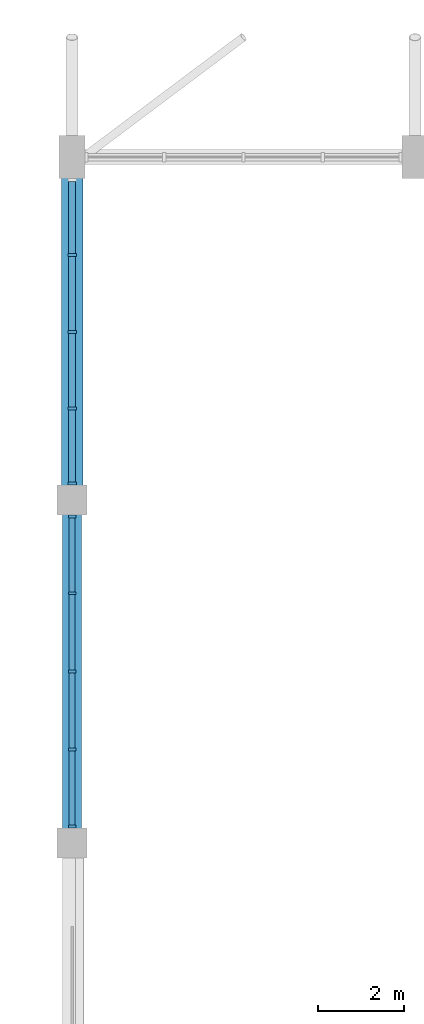
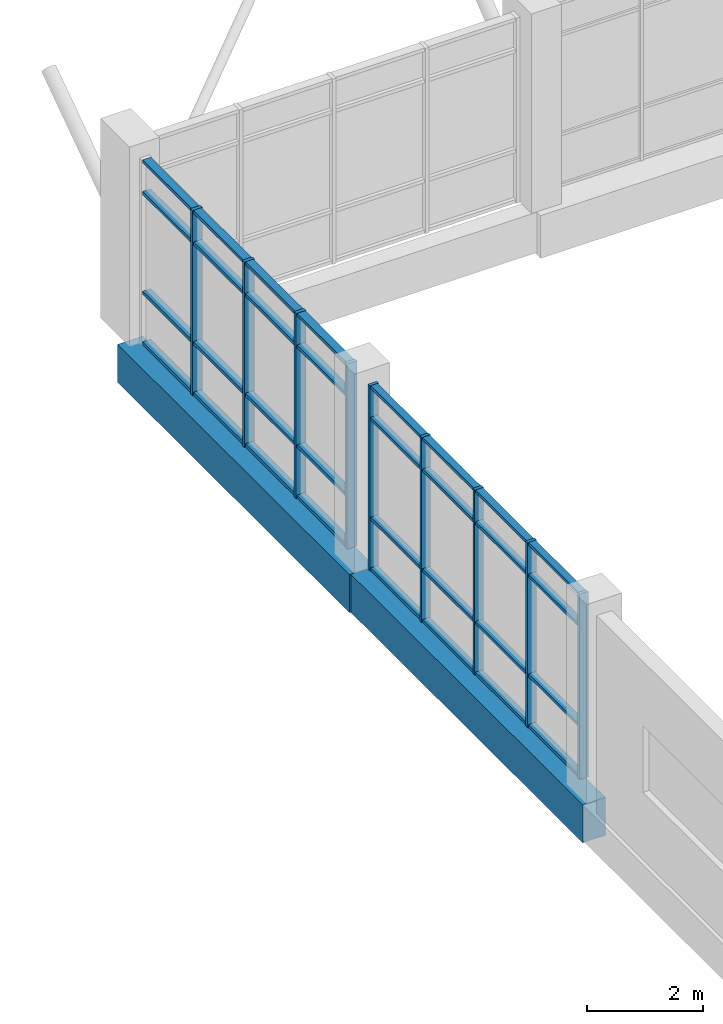
# One storey, part 4 of 44: 41 members, 2 beams, 2 elements without a shape of their own.
"""IFC4 building model written with IfcOpenShell, lengths in metres."""

from ifc_helpers import new_model, si_unit, direction, frame, origin, origin_2d, place, context, subcontext, project, spatial, rectangle, extrude, material, material_profile, profile_set, type_object, element, aggregate, save


model = new_model("IFC4")

# Units and contexts
model_context = context("Model", 3, precision=1e-05, world=origin(), true_north=direction((0.0, 1.0)))
body_context = subcontext(model_context, "Body", "Model", "MODEL_VIEW")
ifc_project = project(units=[si_unit("LENGTHUNIT", "METRE"), si_unit("AREAUNIT", "SQUARE_METRE"), si_unit("VOLUMEUNIT", "CUBIC_METRE"), si_unit("PLANEANGLEUNIT", "RADIAN"), si_unit("MASSUNIT", "GRAM", prefix="KILO")], contexts=[model_context])

# Site, building, storey
site_placement = place(None, origin())
site = spatial("IfcSite", under=ifc_project, at=site_placement, CompositionType="ELEMENT")
building_placement = place(site_placement, origin())
building = spatial("IfcBuilding", under=site, at=building_placement, Name="Tenunan Teduh Sports Hall", CompositionType="ELEMENT")
storey_placement = place(building_placement, frame((0.0, 0.0, 19.199951171875)))
storey = spatial("IfcBuildingStorey", under=building, at=storey_placement, Name="L04", CompositionType="ELEMENT", Elevation=19.199951171875)

# Beams
ifc_material_1 = material(Name="Concrete C40/50", Category="concrete")
ifc_material_profile_1 = material_profile(ifc_material_1, rectangle(XDim=0.449951171875, YDim=0.800048828125, at=origin_2d()), Name="RCB 450x800")
ifc_profile_set_1 = profile_set([ifc_material_profile_1], Name="Concrete C40/50")
beam_type_1 = type_object("IfcBeamType", Name="BM-RC-450x800", PredefinedType="BEAM", material=ifc_profile_set_1)
beam_1_placement = place(storey_placement, frame((6.0, 30.0, -0.669921875), z_axis=(0.0, 1.0, 0.0), x_axis=(-1.0, 0.0, 0.0)))
element("IfcBeam", 1, at=beam_1_placement, inside=storey, type_object=beam_type_1, Name="BM-B-12-L04-2066", PredefinedType="BEAM", context=body_context, shape_type="SweptSolid", body=[
    extrude(rectangle(XDim=0.449951171875, YDim=0.800048828125, at=origin_2d()), origin(), (0.0, 0.0, 1.0), 8.0),
])
ifc_material_2 = material(Name="Concrete C40/50", Category="concrete")
ifc_material_profile_2 = material_profile(ifc_material_2, rectangle(XDim=0.5, YDim=0.800048828125, at=origin_2d()), Name="RCB 500x800")
ifc_profile_set_2 = profile_set([ifc_material_profile_2], Name="Concrete C40/50")
beam_type_2 = type_object("IfcBeamType", Name="BM-RC-500x800", PredefinedType="BEAM", material=ifc_profile_set_2)
beam_2_placement = place(storey_placement, frame((6.0, 38.0, -0.669921875), z_axis=(0.0, 1.0, 0.0), x_axis=(-1.0, 0.0, 0.0)))
element("IfcBeam", 2, at=beam_2_placement, inside=storey, type_object=beam_type_2, Name="BM-B-14-L04-2067", PredefinedType="BEAM", context=body_context, shape_type="SweptSolid", body=[
    extrude(rectangle(XDim=0.5, YDim=0.800048828125, at=origin_2d()), origin(), (0.0, 0.0, 1.0), 8.0),
])

# Curtain wall, members
ifc_material_3 = material(Name="Anodised aluminium", Category="aluminium")
curtain_wall_type = type_object("IfcCurtainWallType", Name="CW-UNIT-2", PredefinedType="NOTDEFINED", material=ifc_material_3)
curtain_wall_1_placement = place(storey_placement, origin())
curtain_wall_1 = element("IfcCurtainWall", 3, at=curtain_wall_1_placement, inside=storey, type_object=curtain_wall_type, Name="CW-CWM-175-L04-106", PredefinedType="NOTDEFINED")
ifc_material_4 = material(Name="Anodised aluminium", Category="aluminium")
ifc_material_profile_3 = material_profile(ifc_material_4, rectangle(XDim=0.06494140625, YDim=0.175048828125, at=origin_2d()), Name="CWM 65x175")
ifc_profile_set_3 = profile_set([ifc_material_profile_3], Name="Anodised aluminium")
member_type_1 = type_object("IfcMemberType", Name="CWM-175", PredefinedType="MULLION", material=ifc_profile_set_3)
member_1_placement = place(storey_placement, frame((6.0, 30.382568359375, 0.0), z_axis=(0.0, 0.0, 1.0), x_axis=(0.0, 1.0, 0.0)))
member_1 = element("IfcMember", 4, at=member_1_placement, type_object=member_type_1, Name="CW-02 mullion 1", PredefinedType="MULLION", context=body_context, shape_type="SweptSolid", body=[
    extrude(rectangle(XDim=0.06494140625, YDim=0.175048828125, at=origin_2d()), origin(), (0.0, 0.0, 1.0), 3.900146484375),
])
member_2_placement = place(storey_placement, frame((6.0, 32.175048828125, 0.0), z_axis=(0.0, 0.0, 1.0), x_axis=(0.0, 1.0, 0.0)))
member_2 = element("IfcMember", 5, at=member_2_placement, type_object=member_type_1, Name="CW-02 mullion 2", PredefinedType="MULLION", context=body_context, shape_type="SweptSolid", body=[
    extrude(rectangle(XDim=0.06494140625, YDim=0.175048828125, at=origin_2d()), origin(), (0.0, 0.0, 1.0), 3.900146484375),
])
member_3_placement = place(storey_placement, frame((6.0, 34.0, 0.0), z_axis=(0.0, 0.0, 1.0), x_axis=(0.0, 1.0, 0.0)))
member_3 = element("IfcMember", 6, at=member_3_placement, type_object=member_type_1, Name="CW-02 mullion 3", PredefinedType="MULLION", context=body_context, shape_type="SweptSolid", body=[
    extrude(rectangle(XDim=0.06494140625, YDim=0.175048828125, at=origin_2d()), origin(), (0.0, 0.0, 1.0), 3.900146484375),
])
member_4_placement = place(storey_placement, frame((6.0, 35.824951171875, 0.0), z_axis=(0.0, 0.0, 1.0), x_axis=(0.0, 1.0, 0.0)))
member_4 = element("IfcMember", 7, at=member_4_placement, type_object=member_type_1, Name="CW-02 mullion 4", PredefinedType="MULLION", context=body_context, shape_type="SweptSolid", body=[
    extrude(rectangle(XDim=0.06494140625, YDim=0.175048828125, at=origin_2d()), origin(), (0.0, 0.0, 1.0), 3.900146484375),
])
member_5_placement = place(storey_placement, frame((6.0, 37.617431640625, 0.0), z_axis=(0.0, 0.0, 1.0), x_axis=(0.0, 1.0, 0.0)))
member_5 = element("IfcMember", 8, at=member_5_placement, type_object=member_type_1, Name="CW-02 mullion 5", PredefinedType="MULLION", context=body_context, shape_type="SweptSolid", body=[
    extrude(rectangle(XDim=0.06494140625, YDim=0.175048828125, at=origin_2d()), origin(), (0.0, 0.0, 1.0), 3.900146484375),
])

curtain_wall_2_placement = place(storey_placement, origin())
curtain_wall_2 = element("IfcCurtainWall", 9, at=curtain_wall_2_placement, inside=storey, type_object=curtain_wall_type, Name="CW-CWM-200-L04-108", PredefinedType="NOTDEFINED")
ifc_material_5 = material(Name="Anodised aluminium", Category="aluminium")
ifc_material_profile_4 = material_profile(ifc_material_5, rectangle(XDim=0.070068359375, YDim=0.199951171875, at=origin_2d()), Name="CWM 70x200")
ifc_profile_set_4 = profile_set([ifc_material_profile_4], Name="Anodised aluminium")
member_type_2 = type_object("IfcMemberType", Name="CWM-200", PredefinedType="MULLION", material=ifc_profile_set_4)
member_6_placement = place(storey_placement, frame((6.0, 38.385009765625, 0.0), z_axis=(0.0, 0.0, 1.0), x_axis=(0.0, 1.0, 0.0)))
member_6 = element("IfcMember", 10, at=member_6_placement, type_object=member_type_2, Name="CW-02 mullion 1", PredefinedType="MULLION", context=body_context, shape_type="SweptSolid", body=[
    extrude(rectangle(XDim=0.070068359375, YDim=0.199951171875, at=origin_2d()), origin(), (0.0, 0.0, 1.0), 3.900146484375),
])
member_7_placement = place(storey_placement, frame((6.0, 40.137451171875, 0.0), z_axis=(0.0, 0.0, 1.0), x_axis=(0.0, 1.0, 0.0)))
member_7 = element("IfcMember", 11, at=member_7_placement, type_object=member_type_2, Name="CW-02 mullion 2", PredefinedType="MULLION", context=body_context, shape_type="SweptSolid", body=[
    extrude(rectangle(XDim=0.070068359375, YDim=0.199951171875, at=origin_2d()), origin(), (0.0, 0.0, 1.0), 3.900146484375),
])
member_8_placement = place(storey_placement, frame((6.0, 41.925048828125, 0.0), z_axis=(0.0, 0.0, 1.0), x_axis=(0.0, 1.0, 0.0)))
member_8 = element("IfcMember", 12, at=member_8_placement, type_object=member_type_2, Name="CW-02 mullion 3", PredefinedType="MULLION", context=body_context, shape_type="SweptSolid", body=[
    extrude(rectangle(XDim=0.070068359375, YDim=0.199951171875, at=origin_2d()), origin(), (0.0, 0.0, 1.0), 3.900146484375),
])
member_9_placement = place(storey_placement, frame((6.0, 43.71240234375, 0.0), z_axis=(0.0, 0.0, 1.0), x_axis=(0.0, 1.0, 0.0)))
member_9 = element("IfcMember", 13, at=member_9_placement, type_object=member_type_2, Name="CW-02 mullion 4", PredefinedType="MULLION", context=body_context, shape_type="SweptSolid", body=[
    extrude(rectangle(XDim=0.070068359375, YDim=0.199951171875, at=origin_2d()), origin(), (0.0, 0.0, 1.0), 3.900146484375),
])

# Member
ifc_material_6 = material(Name="Anodised aluminium", Category="aluminium")
ifc_material_profile_5 = material_profile(ifc_material_6, rectangle(XDim=0.06494140625, YDim=0.139892578125, at=origin_2d()), Name="CWT 65x140")
ifc_profile_set_5 = profile_set([ifc_material_profile_5], Name="Anodised aluminium")
member_type_3 = type_object("IfcMemberType", Name="CWT-150", PredefinedType="USERDEFINED", material=ifc_profile_set_5)
member_10_placement = place(storey_placement, frame((6.0, 30.4150390625, 0.032470703125), z_axis=(0.0, 1.0, 0.0), x_axis=(0.0, 0.0, 1.0)))
member_10 = element("IfcMember", 14, at=member_10_placement, type_object=member_type_3, Name="CW-02 transom 1.1", ObjectType="TRANSOM", PredefinedType="USERDEFINED", context=body_context, shape_type="SweptSolid", body=[
    extrude(rectangle(XDim=0.06494140625, YDim=0.139892578125, at=origin_2d()), origin(), (0.0, 0.0, 1.0), 1.7275390625),
])

member_11_placement = place(storey_placement, frame((6.0, 30.4150390625, 1.10009765625), z_axis=(0.0, 1.0, 0.0), x_axis=(0.0, 0.0, 1.0)))
member_11 = element("IfcMember", 15, at=member_11_placement, type_object=member_type_3, Name="CW-02 transom 1.2", ObjectType="TRANSOM", PredefinedType="USERDEFINED", context=body_context, shape_type="SweptSolid", body=[
    extrude(rectangle(XDim=0.06494140625, YDim=0.139892578125, at=origin_2d()), origin(), (0.0, 0.0, 1.0), 1.7275390625),
])

member_12_placement = place(storey_placement, frame((6.0, 30.4150390625, 3.199951171875), z_axis=(0.0, 1.0, 0.0), x_axis=(0.0, 0.0, 1.0)))
member_12 = element("IfcMember", 16, at=member_12_placement, type_object=member_type_3, Name="CW-02 transom 1.3", ObjectType="TRANSOM", PredefinedType="USERDEFINED", context=body_context, shape_type="SweptSolid", body=[
    extrude(rectangle(XDim=0.06494140625, YDim=0.139892578125, at=origin_2d()), origin(), (0.0, 0.0, 1.0), 1.7275390625),
])

member_13_placement = place(storey_placement, frame((6.0, 30.4150390625, 3.867431640625), z_axis=(0.0, 1.0, 0.0), x_axis=(0.0, 0.0, 1.0)))
member_13 = element("IfcMember", 17, at=member_13_placement, type_object=member_type_3, Name="CW-02 transom 1.4", ObjectType="TRANSOM", PredefinedType="USERDEFINED", context=body_context, shape_type="SweptSolid", body=[
    extrude(rectangle(XDim=0.06494140625, YDim=0.139892578125, at=origin_2d()), origin(), (0.0, 0.0, 1.0), 1.7275390625),
])

member_14_placement = place(storey_placement, frame((6.0, 32.20751953125, 0.032470703125), z_axis=(0.0, 1.0, 0.0), x_axis=(0.0, 0.0, 1.0)))
member_14 = element("IfcMember", 18, at=member_14_placement, type_object=member_type_3, Name="CW-02 transom 2.1", ObjectType="TRANSOM", PredefinedType="USERDEFINED", context=body_context, shape_type="SweptSolid", body=[
    extrude(rectangle(XDim=0.06494140625, YDim=0.139892578125, at=origin_2d()), origin(), (0.0, 0.0, 1.0), 1.760009765625),
])

member_15_placement = place(storey_placement, frame((6.0, 32.20751953125, 1.10009765625), z_axis=(0.0, 1.0, 0.0), x_axis=(0.0, 0.0, 1.0)))
member_15 = element("IfcMember", 19, at=member_15_placement, type_object=member_type_3, Name="CW-02 transom 2.2", ObjectType="TRANSOM", PredefinedType="USERDEFINED", context=body_context, shape_type="SweptSolid", body=[
    extrude(rectangle(XDim=0.06494140625, YDim=0.139892578125, at=origin_2d()), origin(), (0.0, 0.0, 1.0), 1.760009765625),
])

member_16_placement = place(storey_placement, frame((6.0, 32.20751953125, 3.199951171875), z_axis=(0.0, 1.0, 0.0), x_axis=(0.0, 0.0, 1.0)))
member_16 = element("IfcMember", 20, at=member_16_placement, type_object=member_type_3, Name="CW-02 transom 2.3", ObjectType="TRANSOM", PredefinedType="USERDEFINED", context=body_context, shape_type="SweptSolid", body=[
    extrude(rectangle(XDim=0.06494140625, YDim=0.139892578125, at=origin_2d()), origin(), (0.0, 0.0, 1.0), 1.760009765625),
])

member_17_placement = place(storey_placement, frame((6.0, 32.20751953125, 3.867431640625), z_axis=(0.0, 1.0, 0.0), x_axis=(0.0, 0.0, 1.0)))
member_17 = element("IfcMember", 21, at=member_17_placement, type_object=member_type_3, Name="CW-02 transom 2.4", ObjectType="TRANSOM", PredefinedType="USERDEFINED", context=body_context, shape_type="SweptSolid", body=[
    extrude(rectangle(XDim=0.06494140625, YDim=0.139892578125, at=origin_2d()), origin(), (0.0, 0.0, 1.0), 1.760009765625),
])

member_18_placement = place(storey_placement, frame((6.0, 34.032470703125, 0.032470703125), z_axis=(0.0, 1.0, 0.0), x_axis=(0.0, 0.0, 1.0)))
member_18 = element("IfcMember", 22, at=member_18_placement, type_object=member_type_3, Name="CW-02 transom 3.1", ObjectType="TRANSOM", PredefinedType="USERDEFINED", context=body_context, shape_type="SweptSolid", body=[
    extrude(rectangle(XDim=0.06494140625, YDim=0.139892578125, at=origin_2d()), origin(), (0.0, 0.0, 1.0), 1.760009765625),
])

member_19_placement = place(storey_placement, frame((6.0, 34.032470703125, 1.10009765625), z_axis=(0.0, 1.0, 0.0), x_axis=(0.0, 0.0, 1.0)))
member_19 = element("IfcMember", 23, at=member_19_placement, type_object=member_type_3, Name="CW-02 transom 3.2", ObjectType="TRANSOM", PredefinedType="USERDEFINED", context=body_context, shape_type="SweptSolid", body=[
    extrude(rectangle(XDim=0.06494140625, YDim=0.139892578125, at=origin_2d()), origin(), (0.0, 0.0, 1.0), 1.760009765625),
])

member_20_placement = place(storey_placement, frame((6.0, 34.032470703125, 3.199951171875), z_axis=(0.0, 1.0, 0.0), x_axis=(0.0, 0.0, 1.0)))
member_20 = element("IfcMember", 24, at=member_20_placement, type_object=member_type_3, Name="CW-02 transom 3.3", ObjectType="TRANSOM", PredefinedType="USERDEFINED", context=body_context, shape_type="SweptSolid", body=[
    extrude(rectangle(XDim=0.06494140625, YDim=0.139892578125, at=origin_2d()), origin(), (0.0, 0.0, 1.0), 1.760009765625),
])

member_21_placement = place(storey_placement, frame((6.0, 34.032470703125, 3.867431640625), z_axis=(0.0, 1.0, 0.0), x_axis=(0.0, 0.0, 1.0)))
member_21 = element("IfcMember", 25, at=member_21_placement, type_object=member_type_3, Name="CW-02 transom 3.4", ObjectType="TRANSOM", PredefinedType="USERDEFINED", context=body_context, shape_type="SweptSolid", body=[
    extrude(rectangle(XDim=0.06494140625, YDim=0.139892578125, at=origin_2d()), origin(), (0.0, 0.0, 1.0), 1.760009765625),
])

member_22_placement = place(storey_placement, frame((6.0, 35.857421875, 0.032470703125), z_axis=(0.0, 1.0, 0.0), x_axis=(0.0, 0.0, 1.0)))
member_22 = element("IfcMember", 26, at=member_22_placement, type_object=member_type_3, Name="CW-02 transom 4.1", ObjectType="TRANSOM", PredefinedType="USERDEFINED", context=body_context, shape_type="SweptSolid", body=[
    extrude(rectangle(XDim=0.06494140625, YDim=0.139892578125, at=origin_2d()), origin(), (0.0, 0.0, 1.0), 1.7275390625),
])

member_23_placement = place(storey_placement, frame((6.0, 35.857421875, 1.10009765625), z_axis=(0.0, 1.0, 0.0), x_axis=(0.0, 0.0, 1.0)))
member_23 = element("IfcMember", 27, at=member_23_placement, type_object=member_type_3, Name="CW-02 transom 4.2", ObjectType="TRANSOM", PredefinedType="USERDEFINED", context=body_context, shape_type="SweptSolid", body=[
    extrude(rectangle(XDim=0.06494140625, YDim=0.139892578125, at=origin_2d()), origin(), (0.0, 0.0, 1.0), 1.7275390625),
])

member_24_placement = place(storey_placement, frame((6.0, 35.857421875, 3.199951171875), z_axis=(0.0, 1.0, 0.0), x_axis=(0.0, 0.0, 1.0)))
member_24 = element("IfcMember", 28, at=member_24_placement, type_object=member_type_3, Name="CW-02 transom 4.3", ObjectType="TRANSOM", PredefinedType="USERDEFINED", context=body_context, shape_type="SweptSolid", body=[
    extrude(rectangle(XDim=0.06494140625, YDim=0.139892578125, at=origin_2d()), origin(), (0.0, 0.0, 1.0), 1.7275390625),
])

member_25_placement = place(storey_placement, frame((6.0, 35.857421875, 3.867431640625), z_axis=(0.0, 1.0, 0.0), x_axis=(0.0, 0.0, 1.0)))
member_25 = element("IfcMember", 29, at=member_25_placement, type_object=member_type_3, Name="CW-02 transom 4.4", ObjectType="TRANSOM", PredefinedType="USERDEFINED", context=body_context, shape_type="SweptSolid", body=[
    extrude(rectangle(XDim=0.06494140625, YDim=0.139892578125, at=origin_2d()), origin(), (0.0, 0.0, 1.0), 1.7275390625),
])

aggregate(curtain_wall_1, [member_1, member_2, member_3, member_4, member_5, member_10, member_11, member_12, member_13, member_14, member_15, member_16, member_17, member_18, member_19, member_20, member_21, member_22, member_23, member_24, member_25])

ifc_material_7 = material(Name="Anodised aluminium", Category="aluminium")
ifc_material_profile_6 = material_profile(ifc_material_7, rectangle(XDim=0.070068359375, YDim=0.159912109375, at=origin_2d()), Name="CWT 70x160")
ifc_profile_set_6 = profile_set([ifc_material_profile_6], Name="Anodised aluminium")
member_type_4 = type_object("IfcMemberType", Name="CWT-200", PredefinedType="USERDEFINED", material=ifc_profile_set_6)
member_26_placement = place(storey_placement, frame((6.0, 38.419921875, 0.03515625), z_axis=(0.0, 1.0, 0.0), x_axis=(0.0, 0.0, 1.0)))
member_26 = element("IfcMember", 30, at=member_26_placement, type_object=member_type_4, Name="CW-02 transom 1.1", ObjectType="TRANSOM", PredefinedType="USERDEFINED", context=body_context, shape_type="SweptSolid", body=[
    extrude(rectangle(XDim=0.070068359375, YDim=0.159912109375, at=origin_2d()), origin(), (0.0, 0.0, 1.0), 1.6826171875),
])

member_27_placement = place(storey_placement, frame((6.0, 38.419921875, 1.10009765625), z_axis=(0.0, 1.0, 0.0), x_axis=(0.0, 0.0, 1.0)))
member_27 = element("IfcMember", 31, at=member_27_placement, type_object=member_type_4, Name="CW-02 transom 1.2", ObjectType="TRANSOM", PredefinedType="USERDEFINED", context=body_context, shape_type="SweptSolid", body=[
    extrude(rectangle(XDim=0.070068359375, YDim=0.159912109375, at=origin_2d()), origin(), (0.0, 0.0, 1.0), 1.6826171875),
])

member_28_placement = place(storey_placement, frame((6.0, 38.419921875, 3.199951171875), z_axis=(0.0, 1.0, 0.0), x_axis=(0.0, 0.0, 1.0)))
member_28 = element("IfcMember", 32, at=member_28_placement, type_object=member_type_4, Name="CW-02 transom 1.3", ObjectType="TRANSOM", PredefinedType="USERDEFINED", context=body_context, shape_type="SweptSolid", body=[
    extrude(rectangle(XDim=0.070068359375, YDim=0.159912109375, at=origin_2d()), origin(), (0.0, 0.0, 1.0), 1.6826171875),
])

member_29_placement = place(storey_placement, frame((6.0, 38.419921875, 3.864990234375), z_axis=(0.0, 1.0, 0.0), x_axis=(0.0, 0.0, 1.0)))
member_29 = element("IfcMember", 33, at=member_29_placement, type_object=member_type_4, Name="CW-02 transom 1.4", ObjectType="TRANSOM", PredefinedType="USERDEFINED", context=body_context, shape_type="SweptSolid", body=[
    extrude(rectangle(XDim=0.070068359375, YDim=0.159912109375, at=origin_2d()), origin(), (0.0, 0.0, 1.0), 1.6826171875),
])

member_30_placement = place(storey_placement, frame((6.0, 40.172607421875, 0.03515625), z_axis=(0.0, 1.0, 0.0), x_axis=(0.0, 0.0, 1.0)))
member_30 = element("IfcMember", 34, at=member_30_placement, type_object=member_type_4, Name="CW-02 transom 2.1", ObjectType="TRANSOM", PredefinedType="USERDEFINED", context=body_context, shape_type="SweptSolid", body=[
    extrude(rectangle(XDim=0.070068359375, YDim=0.159912109375, at=origin_2d()), origin(), (0.0, 0.0, 1.0), 1.71728515625),
])

member_31_placement = place(storey_placement, frame((6.0, 40.172607421875, 1.10009765625), z_axis=(0.0, 1.0, 0.0), x_axis=(0.0, 0.0, 1.0)))
member_31 = element("IfcMember", 35, at=member_31_placement, type_object=member_type_4, Name="CW-02 transom 2.2", ObjectType="TRANSOM", PredefinedType="USERDEFINED", context=body_context, shape_type="SweptSolid", body=[
    extrude(rectangle(XDim=0.070068359375, YDim=0.159912109375, at=origin_2d()), origin(), (0.0, 0.0, 1.0), 1.71728515625),
])

member_32_placement = place(storey_placement, frame((6.0, 40.172607421875, 3.199951171875), z_axis=(0.0, 1.0, 0.0), x_axis=(0.0, 0.0, 1.0)))
member_32 = element("IfcMember", 36, at=member_32_placement, type_object=member_type_4, Name="CW-02 transom 2.3", ObjectType="TRANSOM", PredefinedType="USERDEFINED", context=body_context, shape_type="SweptSolid", body=[
    extrude(rectangle(XDim=0.070068359375, YDim=0.159912109375, at=origin_2d()), origin(), (0.0, 0.0, 1.0), 1.71728515625),
])

member_33_placement = place(storey_placement, frame((6.0, 40.172607421875, 3.864990234375), z_axis=(0.0, 1.0, 0.0), x_axis=(0.0, 0.0, 1.0)))
member_33 = element("IfcMember", 37, at=member_33_placement, type_object=member_type_4, Name="CW-02 transom 2.4", ObjectType="TRANSOM", PredefinedType="USERDEFINED", context=body_context, shape_type="SweptSolid", body=[
    extrude(rectangle(XDim=0.070068359375, YDim=0.159912109375, at=origin_2d()), origin(), (0.0, 0.0, 1.0), 1.71728515625),
])

member_34_placement = place(storey_placement, frame((6.0, 41.9599609375, 0.03515625), z_axis=(0.0, 1.0, 0.0), x_axis=(0.0, 0.0, 1.0)))
member_34 = element("IfcMember", 38, at=member_34_placement, type_object=member_type_4, Name="CW-02 transom 3.1", ObjectType="TRANSOM", PredefinedType="USERDEFINED", context=body_context, shape_type="SweptSolid", body=[
    extrude(rectangle(XDim=0.070068359375, YDim=0.159912109375, at=origin_2d()), origin(), (0.0, 0.0, 1.0), 1.717529296875),
])

member_35_placement = place(storey_placement, frame((6.0, 41.9599609375, 1.10009765625), z_axis=(0.0, 1.0, 0.0), x_axis=(0.0, 0.0, 1.0)))
member_35 = element("IfcMember", 39, at=member_35_placement, type_object=member_type_4, Name="CW-02 transom 3.2", ObjectType="TRANSOM", PredefinedType="USERDEFINED", context=body_context, shape_type="SweptSolid", body=[
    extrude(rectangle(XDim=0.070068359375, YDim=0.159912109375, at=origin_2d()), origin(), (0.0, 0.0, 1.0), 1.717529296875),
])

member_36_placement = place(storey_placement, frame((6.0, 41.9599609375, 3.199951171875), z_axis=(0.0, 1.0, 0.0), x_axis=(0.0, 0.0, 1.0)))
member_36 = element("IfcMember", 40, at=member_36_placement, type_object=member_type_4, Name="CW-02 transom 3.3", ObjectType="TRANSOM", PredefinedType="USERDEFINED", context=body_context, shape_type="SweptSolid", body=[
    extrude(rectangle(XDim=0.070068359375, YDim=0.159912109375, at=origin_2d()), origin(), (0.0, 0.0, 1.0), 1.717529296875),
])

member_37_placement = place(storey_placement, frame((6.0, 41.9599609375, 3.864990234375), z_axis=(0.0, 1.0, 0.0), x_axis=(0.0, 0.0, 1.0)))
member_37 = element("IfcMember", 41, at=member_37_placement, type_object=member_type_4, Name="CW-02 transom 3.4", ObjectType="TRANSOM", PredefinedType="USERDEFINED", context=body_context, shape_type="SweptSolid", body=[
    extrude(rectangle(XDim=0.070068359375, YDim=0.159912109375, at=origin_2d()), origin(), (0.0, 0.0, 1.0), 1.717529296875),
])

member_38_placement = place(storey_placement, frame((6.0, 43.74755859375, 0.03515625), z_axis=(0.0, 1.0, 0.0), x_axis=(0.0, 0.0, 1.0)))
member_38 = element("IfcMember", 42, at=member_38_placement, type_object=member_type_4, Name="CW-02 transom 4.1", ObjectType="TRANSOM", PredefinedType="USERDEFINED", context=body_context, shape_type="SweptSolid", body=[
    extrude(rectangle(XDim=0.070068359375, YDim=0.159912109375, at=origin_2d()), origin(), (0.0, 0.0, 1.0), 1.682373046875),
])

member_39_placement = place(storey_placement, frame((6.0, 43.74755859375, 1.10009765625), z_axis=(0.0, 1.0, 0.0), x_axis=(0.0, 0.0, 1.0)))
member_39 = element("IfcMember", 43, at=member_39_placement, type_object=member_type_4, Name="CW-02 transom 4.2", ObjectType="TRANSOM", PredefinedType="USERDEFINED", context=body_context, shape_type="SweptSolid", body=[
    extrude(rectangle(XDim=0.070068359375, YDim=0.159912109375, at=origin_2d()), origin(), (0.0, 0.0, 1.0), 1.682373046875),
])

member_40_placement = place(storey_placement, frame((6.0, 43.74755859375, 3.199951171875), z_axis=(0.0, 1.0, 0.0), x_axis=(0.0, 0.0, 1.0)))
member_40 = element("IfcMember", 44, at=member_40_placement, type_object=member_type_4, Name="CW-02 transom 4.3", ObjectType="TRANSOM", PredefinedType="USERDEFINED", context=body_context, shape_type="SweptSolid", body=[
    extrude(rectangle(XDim=0.070068359375, YDim=0.159912109375, at=origin_2d()), origin(), (0.0, 0.0, 1.0), 1.682373046875),
])

member_41_placement = place(storey_placement, frame((6.0, 43.74755859375, 3.864990234375), z_axis=(0.0, 1.0, 0.0), x_axis=(0.0, 0.0, 1.0)))
member_41 = element("IfcMember", 45, at=member_41_placement, type_object=member_type_4, Name="CW-02 transom 4.4", ObjectType="TRANSOM", PredefinedType="USERDEFINED", context=body_context, shape_type="SweptSolid", body=[
    extrude(rectangle(XDim=0.070068359375, YDim=0.159912109375, at=origin_2d()), origin(), (0.0, 0.0, 1.0), 1.682373046875),
])

aggregate(curtain_wall_2, [member_6, member_7, member_8, member_9, member_26, member_27, member_28, member_29, member_30, member_31, member_32, member_33, member_34, member_35, member_36, member_37, member_38, member_39, member_40, member_41])

save(model, "model.ifc")
